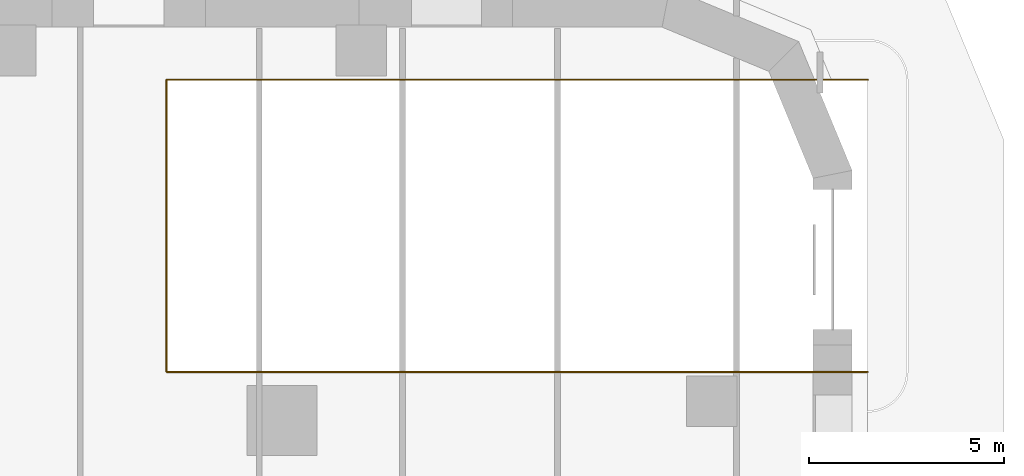
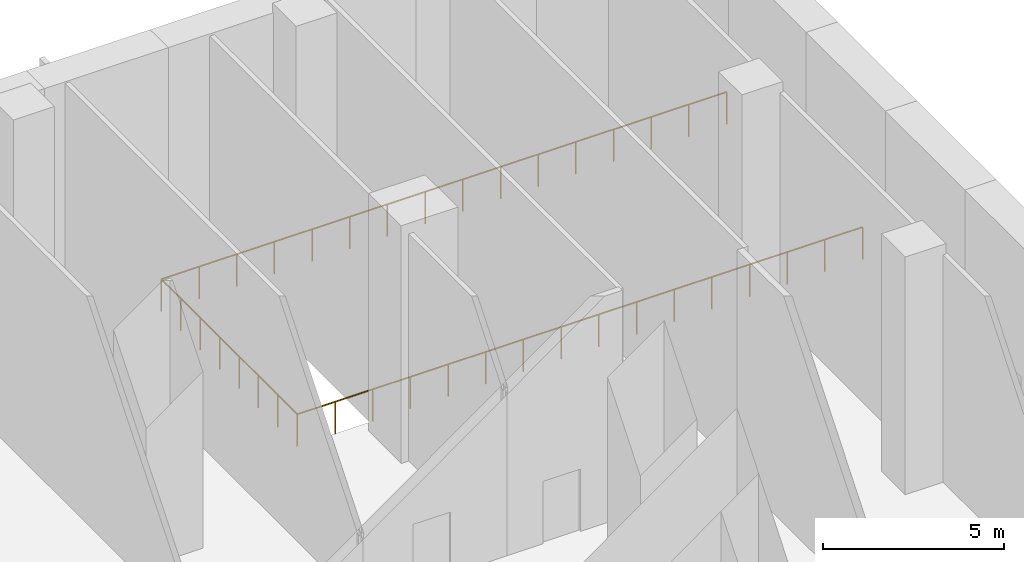
# One storey, part 20 of 22: 1 railing.
"""IFC4 building model written with IfcOpenShell, lengths in metres."""

import ifcopenshell
import ifcopenshell.guid

model = None  # the IFC model being written
_history = None  # IfcOwnerHistory: only IFC2X3 demands one
_inside = {}  # id of a spatial element -> (the spatial element, [elements in it])
_under = {}  # id of a project, library or spatial element -> (it, [spatial elements below it])
_declared = {}  # id of a project -> (the project, [libraries it declares])
_typed = {}  # id of a type object -> (the type object, [elements of that type])
_made_of = {}  # id of a material, layer set ... -> (it, [elements and type objects made of it])


def new_model(schema):
    """Start an empty IFC model of exactly this schema.

    Asked for "IFC4X3", IfcOpenShell would pick the latest addendum, in which some entities
    have other attributes; the version numbers below select the first issue.
    IFC2X3 requires an IfcOwnerHistory on every rooted entity: one is made here for all.
    """
    global model, _history
    if schema == "IFC4X3":
        model = ifcopenshell.file(schema_version=(4, 3, 0, 0))
    else:
        model = ifcopenshell.file(schema=schema)
    _inside.clear()
    _under.clear()
    _declared.clear()
    _typed.clear()
    _made_of.clear()
    _history = None
    if model.schema == "IFC2X3":
        org = make("IfcOrganization", Name="unknown")
        user = make(
            "IfcPersonAndOrganization",
            ThePerson=make("IfcPerson", FamilyName="unknown"),
            TheOrganization=org,
        )
        app = make(
            "IfcApplication",
            ApplicationDeveloper=org,
            Version="unknown",
            ApplicationFullName="unknown",
            ApplicationIdentifier="unknown",
        )
        _history = make(
            "IfcOwnerHistory",
            OwningUser=user,
            OwningApplication=app,
            ChangeAction="ADDED",
            CreationDate=0,
        )
    return model


def make(cls, **values):
    """One entity of the class cls with the attributes given. An attribute that is None is left unset."""
    return model.create_entity(
        cls, **{name: value for name, value in values.items() if value is not None}
    )


def rooted(cls, **values):
    """An entity with a GlobalId (a new one), such as an element, a storey or a relation."""
    return make(cls, GlobalId=ifcopenshell.guid.new(), OwnerHistory=_history, **values)


def si_unit(unit_type, name, prefix=None):
    """IfcSIUnit, for example si_unit("LENGTHUNIT", "METRE", prefix="MILLI")."""
    return make("IfcSIUnit", UnitType=unit_type, Prefix=prefix, Name=name)


def assignment(units):
    """IfcUnitAssignment: the units of a project."""
    return None if units is None else make("IfcUnitAssignment", Units=units)


def point(xyz):
    """IfcCartesianPoint."""
    return None if xyz is None else make("IfcCartesianPoint", Coordinates=xyz)


def direction(xyz):
    """IfcDirection."""
    return None if xyz is None else make("IfcDirection", DirectionRatios=xyz)


def frame(location, z_axis=None, x_axis=None):
    """IfcAxis2Placement3D, a coordinate frame: its origin and axes. An axis left out is left unset."""
    return make(
        "IfcAxis2Placement3D",
        Location=point(location),
        Axis=direction(z_axis),
        RefDirection=direction(x_axis),
    )


def frame_2d(location, x_axis=None):
    """IfcAxis2Placement2D, a coordinate frame in the plane: its origin and x axis."""
    return make(
        "IfcAxis2Placement2D", Location=point(location), RefDirection=direction(x_axis)
    )


def origin():
    """The frame at (0, 0, 0) with its axes left unset."""
    return frame((0.0, 0.0, 0.0))


def origin_2d():
    """The frame at (0, 0) in the plane with its x axis left unset."""
    return frame_2d((0.0, 0.0))


def place(relative_to, where):
    """IfcLocalPlacement: puts the frame where relative to a parent placement (None: the world)."""
    return make(
        "IfcLocalPlacement", PlacementRelTo=relative_to, RelativePlacement=where
    )


def context(
    kind, dimensions, precision=None, world=None, true_north=None, identifier=None
):
    """IfcGeometricRepresentationContext, for example the 3D "Model" context."""
    return make(
        "IfcGeometricRepresentationContext",
        ContextIdentifier=identifier,
        ContextType=kind,
        CoordinateSpaceDimension=dimensions,
        Precision=precision,
        WorldCoordinateSystem=world,
        TrueNorth=true_north,
    )


def subcontext(parent, identifier, kind, view, scale=None):
    """IfcGeometricRepresentationSubContext, for example "Body" below "Model"."""
    return make(
        "IfcGeometricRepresentationSubContext",
        ContextIdentifier=identifier,
        ContextType=kind,
        ParentContext=parent,
        TargetScale=scale,
        TargetView=view,
    )


def project(units=None, contexts=None):
    """IfcProject with its units and contexts."""
    return rooted(
        "IfcProject",
        Name="project",
        RepresentationContexts=contexts,
        UnitsInContext=assignment(units),
    )


def spatial(cls, under=None, at=None, **own):
    """A site, building, storey or space (cls), placed at a placement, below another one or the project."""
    s = rooted(cls, ObjectPlacement=at, **own)
    if under is not None:
        _under.setdefault(under.id(), (under, []))[1].append(s)
    return s


def profile(cls, at=None, kind="AREA", **sizes):
    """A parametric profile (cls). Its sizes go by their IFC names, for example OverallWidth=200.0."""
    return make(cls, ProfileType=kind, Position=at, **sizes)


def circle(**sizes):
    """IfcCircleProfileDef."""
    return profile("IfcCircleProfileDef", **sizes)


def extrude(swept, where, along, depth):
    """IfcExtrudedAreaSolid: the profile swept, set in the frame where, extruded along a direction by depth."""
    return make(
        "IfcExtrudedAreaSolid",
        SweptArea=swept,
        Position=where,
        ExtrudedDirection=direction(along),
        Depth=depth,
    )


def shape(context_of_items, identifier, shape_type, items):
    """IfcShapeRepresentation: the items that make up one representation, for example the "Body"."""
    return make(
        "IfcShapeRepresentation",
        ContextOfItems=context_of_items,
        RepresentationIdentifier=identifier,
        RepresentationType=shape_type,
        Items=items,
    )


def material(Name=None, Category=None):
    """IfcMaterial."""
    return make("IfcMaterial", Name=Name, Category=Category)


def made_of(thing, what):
    """Note that an element or type object is made of a material, layer set ...; save() writes the relation."""
    if what is not None:
        _made_of.setdefault(what.id(), (what, []))[1].append(thing)
    return thing


def type_object(cls, material=None, **own):
    """A type object (cls), such as IfcWallType, which elements share."""
    return made_of(rooted(cls, **own), material)


def element(
    cls,
    number,
    at=None,
    inside=None,
    cuts=None,
    type_object=None,
    material=None,
    context=None,
    identifier="Body",
    shape_type=None,
    held_by="IfcProductDefinitionShape",
    body=None,
    shapes=None,
    **own,
):
    """One element of the class cls, such as IfcWall. Its Tag is "e" and its number.

    at: its placement. inside: the storey or other place that contains it. cuts: it is an
    opening in that element (IfcRelVoidsElement). A single representation is given by context,
    identifier, shape_type and body (its items); several are given by shapes. held_by: the class
    of the entity that holds the representations. save() writes the other relations.
    """
    e = rooted(cls, Tag="e%d" % number, ObjectPlacement=at, **own)
    if body is not None:
        shapes = [shape(context, identifier, shape_type, body)]
    if shapes is not None:
        e.Representation = make(held_by, Representations=shapes)
    if inside is not None:
        _inside.setdefault(inside.id(), (inside, []))[1].append(e)
    if cuts is not None:
        rooted(
            "IfcRelVoidsElement", RelatingBuildingElement=cuts, RelatedOpeningElement=e
        )
    if type_object is not None:
        _typed.setdefault(type_object.id(), (type_object, []))[1].append(e)
    return made_of(e, material)


def aggregate(whole, parts):
    """IfcRelAggregates: a whole, such as a stair, and the parts it consists of."""
    return rooted("IfcRelAggregates", RelatingObject=whole, RelatedObjects=parts)


def save(model, path):
    """Write the relations noted so far, then the file.

    IfcRelAggregates (storeys below a building ...), IfcRelContainedInSpatialStructure (elements
    in a storey), IfcRelDefinesByType, IfcRelAssociatesMaterial and IfcRelDeclares: one each for
    every whole, place, type object, material and project.
    """
    for whole, parts in _under.values():
        aggregate(whole, parts)
    for where, things in _inside.values():
        rooted(
            "IfcRelContainedInSpatialStructure",
            RelatedElements=things,
            RelatingStructure=where,
        )
    for kind, things in _typed.values():
        rooted("IfcRelDefinesByType", RelatedObjects=things, RelatingType=kind)
    for what, things in _made_of.values():
        rooted("IfcRelAssociatesMaterial", RelatedObjects=things, RelatingMaterial=what)
    for by, libraries in _declared.values():
        rooted("IfcRelDeclares", RelatingContext=by, RelatedDefinitions=libraries)
    model.write(path)


model = new_model("IFC4")

# Units and contexts
model_context = context("Model", 3, precision=1e-05, world=origin(), true_north=direction((0.0, 1.0)))
body_context = subcontext(model_context, "Body", "Model", "MODEL_VIEW")
ifc_project = project(units=[si_unit("LENGTHUNIT", "METRE"), si_unit("AREAUNIT", "SQUARE_METRE"), si_unit("VOLUMEUNIT", "CUBIC_METRE"), si_unit("PLANEANGLEUNIT", "RADIAN"), si_unit("MASSUNIT", "GRAM", prefix="KILO")], contexts=[model_context])

# Site, building, storey
site_placement = place(None, origin())
site = spatial("IfcSite", under=ifc_project, at=site_placement, CompositionType="ELEMENT")
building_placement = place(site_placement, origin())
building = spatial("IfcBuilding", under=site, at=building_placement, Name="Ostrand Prow Hotel Tower", CompositionType="ELEMENT")
storey_placement = place(building_placement, origin())
storey = spatial("IfcBuildingStorey", under=building, at=storey_placement, Name="L00", CompositionType="ELEMENT", Elevation=0.0)

# Railing
ifc_material = material(Name="Painted steel", Category="steel")
railing_type = type_object("IfcRailingType", Name="Ramp guard 1100", PredefinedType="GUARDRAIL", material=ifc_material)
railing_placement = place(storey_placement, frame((76.0, 27.75, 0.0)))
element("IfcRailing", 1, at=railing_placement, inside=storey, type_object=railing_type, Name="Floor opening guard", PredefinedType="GUARDRAIL", context=body_context, shape_type="SweptSolid", body=[
    extrude(circle(Radius=0.02392578125, at=origin_2d()), frame((0.0, 0.0, 1.076171875), z_axis=(-1.0, 0.0, 0.0), x_axis=(0.0, -1.0, 0.0)), (0.0, 0.0, 1.0), 18.0),
    extrude(circle(Radius=0.02392578125, at=origin_2d()), frame((-18.0, 0.0, 1.076171875), z_axis=(0.0, 1.0, 0.0), x_axis=(-1.0, 0.0, 0.0)), (0.0, 0.0, 1.0), 7.5),
    extrude(circle(Radius=0.02392578125, at=origin_2d()), frame((-18.0, 7.5, 1.076171875), z_axis=(1.0, 0.0, 0.0), x_axis=(0.0, 1.0, 0.0)), (0.0, 0.0, 1.0), 18.0),
    extrude(circle(Radius=0.02099609375, at=origin_2d()), origin(), (0.0, 0.0, 1.0), 1.052001953125),
    extrude(circle(Radius=0.02099609375, at=origin_2d()), frame((-1.199951171875, 0.0, 0.0)), (0.0, 0.0, 1.0), 1.052001953125),
    extrude(circle(Radius=0.02099609375, at=origin_2d()), frame((-2.39990234375, 0.0, 0.0)), (0.0, 0.0, 1.0), 1.052001953125),
    extrude(circle(Radius=0.02099609375, at=origin_2d()), frame((-3.60009765625, 0.0, 0.0)), (0.0, 0.0, 1.0), 1.052001953125),
    extrude(circle(Radius=0.02099609375, at=origin_2d()), frame((-4.800048828125, 0.0, 0.0)), (0.0, 0.0, 1.0), 1.052001953125),
    extrude(circle(Radius=0.02099609375, at=origin_2d()), frame((-6.0, 0.0, 0.0)), (0.0, 0.0, 1.0), 1.052001953125),
    extrude(circle(Radius=0.02099609375, at=origin_2d()), frame((-7.199951171875, 0.0, 0.0)), (0.0, 0.0, 1.0), 1.052001953125),
    extrude(circle(Radius=0.02099609375, at=origin_2d()), frame((-8.39990234375, 0.0, 0.0)), (0.0, 0.0, 1.0), 1.052001953125),
    extrude(circle(Radius=0.02099609375, at=origin_2d()), frame((-9.60009765625, 0.0, 0.0)), (0.0, 0.0, 1.0), 1.052001953125),
    extrude(circle(Radius=0.02099609375, at=origin_2d()), frame((-10.800048828125, 0.0, 0.0)), (0.0, 0.0, 1.0), 1.052001953125),
    extrude(circle(Radius=0.02099609375, at=origin_2d()), frame((-12.0, 0.0, 0.0)), (0.0, 0.0, 1.0), 1.052001953125),
    extrude(circle(Radius=0.02099609375, at=origin_2d()), frame((-13.199951171875, 0.0, 0.0)), (0.0, 0.0, 1.0), 1.052001953125),
    extrude(circle(Radius=0.02099609375, at=origin_2d()), frame((-14.39990234375, 0.0, 0.0)), (0.0, 0.0, 1.0), 1.052001953125),
    extrude(circle(Radius=0.02099609375, at=origin_2d()), frame((-15.60009765625, 0.0, 0.0)), (0.0, 0.0, 1.0), 1.052001953125),
    extrude(circle(Radius=0.02099609375, at=origin_2d()), frame((-16.800048828125, 0.0, 0.0)), (0.0, 0.0, 1.0), 1.052001953125),
    extrude(circle(Radius=0.02099609375, at=origin_2d()), frame((-18.0, 0.0, 0.0)), (0.0, 0.0, 1.0), 1.052001953125),
    extrude(circle(Radius=0.02099609375, at=origin_2d()), frame((-18.0, 1.071533203125, 0.0)), (0.0, 0.0, 1.0), 1.052001953125),
    extrude(circle(Radius=0.02099609375, at=origin_2d()), frame((-18.0, 2.142822265625, 0.0)), (0.0, 0.0, 1.0), 1.052001953125),
    extrude(circle(Radius=0.02099609375, at=origin_2d()), frame((-18.0, 3.21435546875, 0.0)), (0.0, 0.0, 1.0), 1.052001953125),
    extrude(circle(Radius=0.02099609375, at=origin_2d()), frame((-18.0, 4.28564453125, 0.0)), (0.0, 0.0, 1.0), 1.052001953125),
    extrude(circle(Radius=0.02099609375, at=origin_2d()), frame((-18.0, 5.357177734375, 0.0)), (0.0, 0.0, 1.0), 1.052001953125),
    extrude(circle(Radius=0.02099609375, at=origin_2d()), frame((-18.0, 6.428466796875, 0.0)), (0.0, 0.0, 1.0), 1.052001953125),
    extrude(circle(Radius=0.02099609375, at=origin_2d()), frame((-18.0, 7.5, 0.0)), (0.0, 0.0, 1.0), 1.052001953125),
    extrude(circle(Radius=0.02099609375, at=origin_2d()), frame((-16.800048828125, 7.5, 0.0)), (0.0, 0.0, 1.0), 1.052001953125),
    extrude(circle(Radius=0.02099609375, at=origin_2d()), frame((-15.60009765625, 7.5, 0.0)), (0.0, 0.0, 1.0), 1.052001953125),
    extrude(circle(Radius=0.02099609375, at=origin_2d()), frame((-14.39990234375, 7.5, 0.0)), (0.0, 0.0, 1.0), 1.052001953125),
    extrude(circle(Radius=0.02099609375, at=origin_2d()), frame((-13.199951171875, 7.5, 0.0)), (0.0, 0.0, 1.0), 1.052001953125),
    extrude(circle(Radius=0.02099609375, at=origin_2d()), frame((-12.0, 7.5, 0.0)), (0.0, 0.0, 1.0), 1.052001953125),
    extrude(circle(Radius=0.02099609375, at=origin_2d()), frame((-10.800048828125, 7.5, 0.0)), (0.0, 0.0, 1.0), 1.052001953125),
    extrude(circle(Radius=0.02099609375, at=origin_2d()), frame((-9.60009765625, 7.5, 0.0)), (0.0, 0.0, 1.0), 1.052001953125),
    extrude(circle(Radius=0.02099609375, at=origin_2d()), frame((-8.39990234375, 7.5, 0.0)), (0.0, 0.0, 1.0), 1.052001953125),
    extrude(circle(Radius=0.02099609375, at=origin_2d()), frame((-7.199951171875, 7.5, 0.0)), (0.0, 0.0, 1.0), 1.052001953125),
    extrude(circle(Radius=0.02099609375, at=origin_2d()), frame((-6.0, 7.5, 0.0)), (0.0, 0.0, 1.0), 1.052001953125),
    extrude(circle(Radius=0.02099609375, at=origin_2d()), frame((-4.800048828125, 7.5, 0.0)), (0.0, 0.0, 1.0), 1.052001953125),
    extrude(circle(Radius=0.02099609375, at=origin_2d()), frame((-3.60009765625, 7.5, 0.0)), (0.0, 0.0, 1.0), 1.052001953125),
    extrude(circle(Radius=0.02099609375, at=origin_2d()), frame((-2.39990234375, 7.5, 0.0)), (0.0, 0.0, 1.0), 1.052001953125),
    extrude(circle(Radius=0.02099609375, at=origin_2d()), frame((-1.199951171875, 7.5, 0.0)), (0.0, 0.0, 1.0), 1.052001953125),
    extrude(circle(Radius=0.02099609375, at=origin_2d()), frame((0.0, 7.5, 0.0)), (0.0, 0.0, 1.0), 1.052001953125),
])

save(model, "model.ifc")
